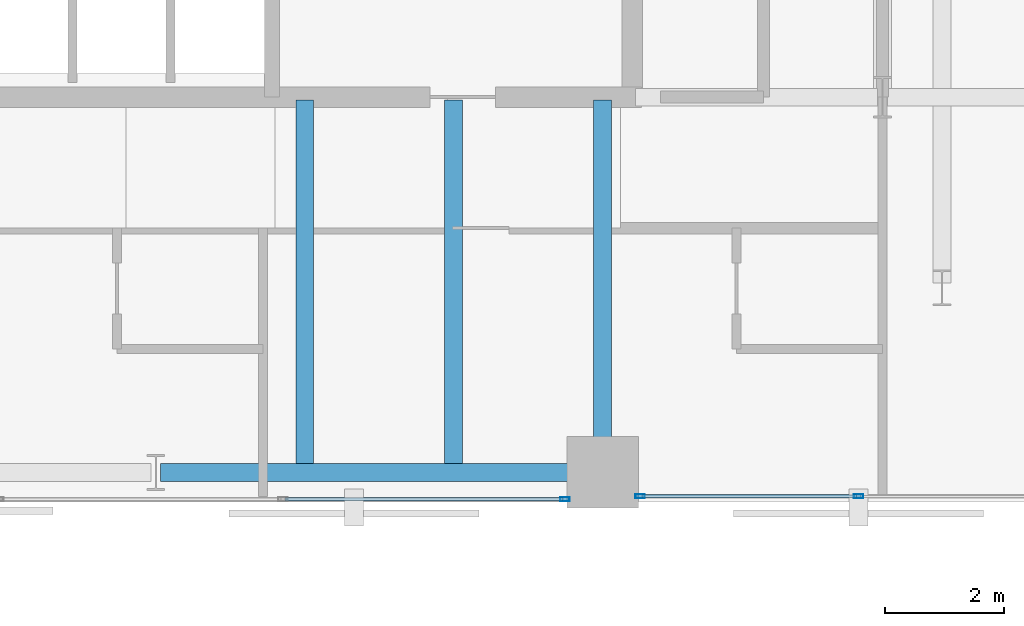
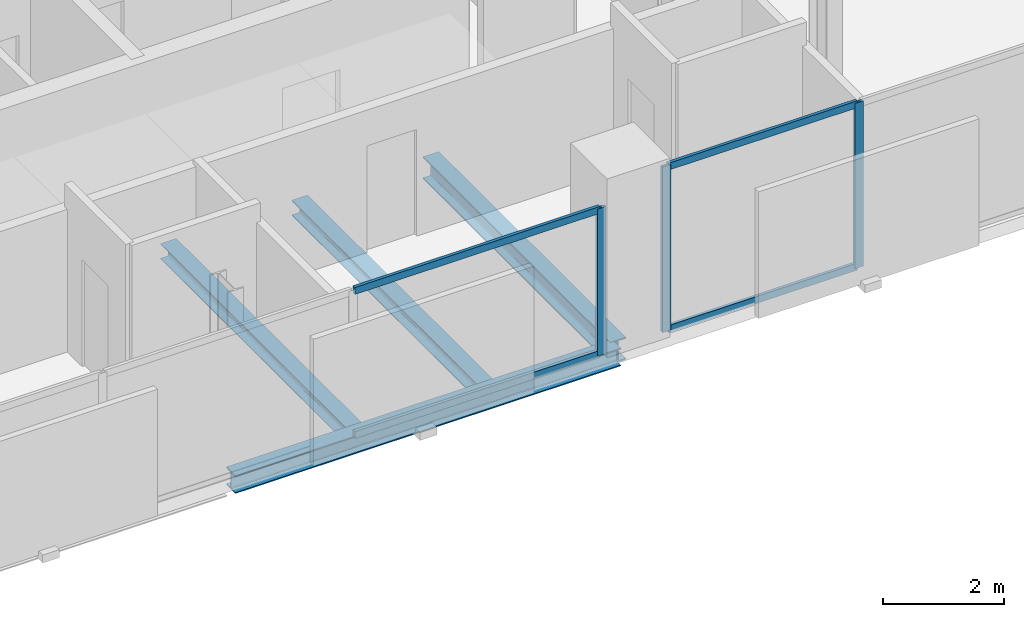
# One storey, part 14 of 32: 7 members, 4 beams, 2 elements without a shape of their own.
"""IFC4 building model written with IfcOpenShell, lengths in metres."""

from ifc_helpers import new_model, si_unit, direction, frame, origin, origin_2d, place, context, subcontext, project, spatial, hollow_rectangle, i_section, extrude, material, layer, layer_set, material_profile, profile_set, type_object, element, aggregate, save


model = new_model("IFC4")

# Units and contexts
model_context = context("Model", 3, precision=1e-05, world=origin(), true_north=direction((0.0, 1.0)))
body_context = subcontext(model_context, "Body", "Model", "MODEL_VIEW")
ifc_project = project(units=[si_unit("LENGTHUNIT", "METRE"), si_unit("AREAUNIT", "SQUARE_METRE"), si_unit("VOLUMEUNIT", "CUBIC_METRE"), si_unit("PLANEANGLEUNIT", "RADIAN"), si_unit("MASSUNIT", "GRAM", prefix="KILO")], contexts=[model_context])

# Site, building, storey
site_placement = place(None, origin())
site = spatial("IfcSite", under=ifc_project, at=site_placement, CompositionType="ELEMENT")
building_placement = place(site_placement, origin())
building = spatial("IfcBuilding", under=site, at=building_placement, Name="Catumbela Crestline Tower", CompositionType="ELEMENT")
storey_placement = place(building_placement, frame((0.0, 0.0, 129.6)))
storey = spatial("IfcBuildingStorey", under=building, at=storey_placement, Name="L33", CompositionType="ELEMENT", Elevation=129.6)

# Beams
ifc_material_1 = material(Name="Structural steel S355J2", Category="steel")
ifc_material_profile_1 = material_profile(ifc_material_1, i_section(OverallWidth=0.3, OverallDepth=0.45, WebThickness=0.014, FlangeThickness=0.026, FilletRadius=0.027, at=origin_2d()), Name="HEB 450")
ifc_profile_set_1 = profile_set([ifc_material_profile_1], Name="Structural steel S355J2")
beam_type_1 = type_object("IfcBeamType", Name="BG-HEB450", PredefinedType="BEAM", material=ifc_profile_set_1)
beam_1_placement = place(storey_placement, frame((39.5, 24.58, -0.485), z_axis=(0.0, 1.0, 0.0), x_axis=(-1.0, 0.0, 0.0)))
element("IfcBeam", 1, at=beam_1_placement, inside=storey, type_object=beam_type_1, Name="L33 Beam BM-L33-SNS31", PredefinedType="BEAM", context=body_context, shape_type="SweptSolid", body=[
    extrude(i_section(OverallWidth=0.3, OverallDepth=0.45, WebThickness=0.014, FlangeThickness=0.026, FilletRadius=0.027, at=origin_2d()), origin(), (0.0, 0.0, 1.0), 6.17),
])
ifc_material_profile_2 = material_profile(ifc_material_1, i_section(OverallWidth=0.3, OverallDepth=0.31, WebThickness=0.009, FlangeThickness=0.0155, FilletRadius=0.027, at=origin_2d()), Name="HEA 320")
ifc_profile_set_2 = profile_set([ifc_material_profile_2], Name="Structural steel S355J2")
beam_type_2 = type_object("IfcBeamType", Name="BJ-HEA320", PredefinedType="JOIST", material=ifc_profile_set_2)
for number, where, z_axis, x_axis, name in (
    (2, (34.5, 24.647, -0.415), (0.0, 1.0, 0.0), (-1.0, 0.0, 0.0), "L33 Joist JS-L33-SP41"),
    (3, (37.0, 24.647, -0.415), (0.0, 1.0, 0.0), (-1.0, 0.0, 0.0), "L33 Joist JS-L33-SP42"),
):
    element("IfcBeam", number, at=place(storey_placement, frame(where, z_axis=z_axis, x_axis=x_axis)), inside=storey, type_object=beam_type_2, Name=name, PredefinedType="JOIST", context=body_context, shape_type="SweptSolid", body=[
        extrude(i_section(OverallWidth=0.3, OverallDepth=0.31, WebThickness=0.009, FlangeThickness=0.0155, FilletRadius=0.027, at=origin_2d()), origin(), (0.0, 0.0, 1.0), 6.103),
    ])

# Curtain wall, member
ifc_material_2 = material(Name="Aluminium alloy AW-6060-T66", Category="aluminium")
ifc_layer = layer(ifc_material_2, 0.18, Name="Aluminium alloy AW-6060-T66")
ifc_layer_set = layer_set([ifc_layer], Name="Aluminium alloy AW-6060-T66")
curtain_wall_type = type_object("IfcCurtainWallType", Name="CWU-Z2", PredefinedType="USERDEFINED", material=ifc_layer_set)
curtain_wall_1_placement = place(storey_placement, origin())
curtain_wall_1 = element("IfcCurtainWall", 4, at=curtain_wall_1_placement, inside=storey, type_object=curtain_wall_type, Name="L33 Unitised Curtain Wall CW-L33-E3S1", ObjectType="UNITISED", PredefinedType="USERDEFINED")
ifc_material_profile_3 = material_profile(ifc_material_2, hollow_rectangle(XDim=0.06, YDim=0.16, WallThickness=0.004, at=origin_2d()), Name="ALU 160x60x4")
ifc_profile_set_3 = profile_set([ifc_material_profile_3], Name="Aluminium alloy AW-6060-T66")
member_type_1 = type_object("IfcMemberType", Name="MUL-160X60", PredefinedType="MULLION", material=ifc_profile_set_3)
member_1_placement = place(storey_placement, frame((38.8675, 24.05, 0.0), z_axis=(0.0, 0.0, 1.0), x_axis=(0.0, 1.0, 0.0)))
member_1 = element("IfcMember", 5, at=member_1_placement, type_object=member_type_1, Name="CWU-Z2 mullion 4", PredefinedType="MULLION", context=body_context, shape_type="SweptSolid", body=[
    extrude(hollow_rectangle(XDim=0.06, YDim=0.16, WallThickness=0.004, at=origin_2d()), origin(), (0.0, 0.0, 1.0), 2.96),
])

# Curtain wall, members
curtain_wall_2_placement = place(storey_placement, origin())
curtain_wall_2 = element("IfcCurtainWall", 6, at=curtain_wall_2_placement, inside=storey, type_object=curtain_wall_type, Name="L33 Unitised Curtain Wall CW-L33-E3S2", ObjectType="UNITISED", PredefinedType="USERDEFINED")
member_2_placement = place(storey_placement, frame((40.1325, 24.1, 0.0), z_axis=(0.0, 0.0, 1.0), x_axis=(0.0, 1.0, 0.0)))
member_2 = element("IfcMember", 7, at=member_2_placement, type_object=member_type_1, Name="CWU-Z2 mullion 1", PredefinedType="MULLION", context=body_context, shape_type="SweptSolid", body=[
    extrude(hollow_rectangle(XDim=0.06, YDim=0.16, WallThickness=0.004, at=origin_2d()), origin(), (0.0, 0.0, 1.0), 3.33),
])
member_3_placement = place(storey_placement, frame((43.8, 24.1, 0.0), z_axis=(0.0, 0.0, 1.0), x_axis=(0.0, 1.0, 0.0)))
member_3 = element("IfcMember", 8, at=member_3_placement, type_object=member_type_1, Name="CWU-Z2 mullion 2", PredefinedType="MULLION", context=body_context, shape_type="SweptSolid", body=[
    extrude(hollow_rectangle(XDim=0.06, YDim=0.16, WallThickness=0.004, at=origin_2d()), origin(), (0.0, 0.0, 1.0), 3.33),
])

# Beam
ifc_material_profile_4 = material_profile(ifc_material_1, i_section(OverallWidth=0.3, OverallDepth=0.36, WebThickness=0.0125, FlangeThickness=0.0225, FilletRadius=0.027, at=origin_2d()), Name="HEB 360")
ifc_profile_set_4 = profile_set([ifc_material_profile_4], Name="Structural steel S355J2")
beam_type_3 = type_object("IfcBeamType", Name="BS-HEB360", PredefinedType="SPANDREL", material=ifc_profile_set_4)
beam_2_placement = place(storey_placement, frame((32.08, 24.5, -0.44), z_axis=(1.0, 0.0, 0.0), x_axis=(0.0, 1.0, 0.0)))
element("IfcBeam", 9, at=beam_2_placement, inside=storey, type_object=beam_type_3, Name="L33 Spandrel SP-L33-S06", PredefinedType="SPANDREL", context=body_context, shape_type="SweptSolid", body=[
    extrude(i_section(OverallWidth=0.3, OverallDepth=0.36, WebThickness=0.0125, FlangeThickness=0.0225, FilletRadius=0.027, at=origin_2d()), origin(), (0.0, 0.0, 1.0), 7.34),
])

# Member
ifc_material_profile_5 = material_profile(ifc_material_2, hollow_rectangle(XDim=0.06, YDim=0.14, WallThickness=0.004, at=origin_2d()), Name="ALU 140x60x4")
ifc_profile_set_5 = profile_set([ifc_material_profile_5], Name="Aluminium alloy AW-6060-T66")
member_type_2 = type_object("IfcMemberType", Name="TRN-140X60", PredefinedType="USERDEFINED", material=ifc_profile_set_5)
member_4_placement = place(storey_placement, frame((34.1658, 24.05, 0.03), z_axis=(1.0, 0.0, 0.0), x_axis=(0.0, 1.0, 0.0)))
member_4 = element("IfcMember", 10, at=member_4_placement, type_object=member_type_2, Name="CWU-Z2 transom 3.1", ObjectType="TRANSOM", PredefinedType="USERDEFINED", context=body_context, shape_type="SweptSolid", body=[
    extrude(hollow_rectangle(XDim=0.06, YDim=0.14, WallThickness=0.004, at=origin_2d()), origin(), (0.0, 0.0, 1.0), 4.6692),
])

member_5_placement = place(storey_placement, frame((34.1658, 24.05, 2.93), z_axis=(1.0, 0.0, 0.0), x_axis=(0.0, 1.0, 0.0)))
member_5 = element("IfcMember", 11, at=member_5_placement, type_object=member_type_2, Name="CWU-Z2 transom 3.2", ObjectType="TRANSOM", PredefinedType="USERDEFINED", context=body_context, shape_type="SweptSolid", body=[
    extrude(hollow_rectangle(XDim=0.06, YDim=0.14, WallThickness=0.004, at=origin_2d()), origin(), (0.0, 0.0, 1.0), 4.6692),
])

aggregate(curtain_wall_1, [member_1, member_4, member_5])

member_6_placement = place(storey_placement, frame((40.165, 24.1, 0.03), z_axis=(1.0, 0.0, 0.0), x_axis=(0.0, 1.0, 0.0)))
member_6 = element("IfcMember", 12, at=member_6_placement, type_object=member_type_2, Name="CWU-Z2 transom 1.1", ObjectType="TRANSOM", PredefinedType="USERDEFINED", context=body_context, shape_type="SweptSolid", body=[
    extrude(hollow_rectangle(XDim=0.06, YDim=0.14, WallThickness=0.004, at=origin_2d()), origin(), (0.0, 0.0, 1.0), 3.6025),
])

member_7_placement = place(storey_placement, frame((40.165, 24.1, 3.3), z_axis=(1.0, 0.0, 0.0), x_axis=(0.0, 1.0, 0.0)))
member_7 = element("IfcMember", 13, at=member_7_placement, type_object=member_type_2, Name="CWU-Z2 transom 1.2", ObjectType="TRANSOM", PredefinedType="USERDEFINED", context=body_context, shape_type="SweptSolid", body=[
    extrude(hollow_rectangle(XDim=0.06, YDim=0.14, WallThickness=0.004, at=origin_2d()), origin(), (0.0, 0.0, 1.0), 3.6025),
])

aggregate(curtain_wall_2, [member_2, member_3, member_6, member_7])

save(model, "model.ifc")
